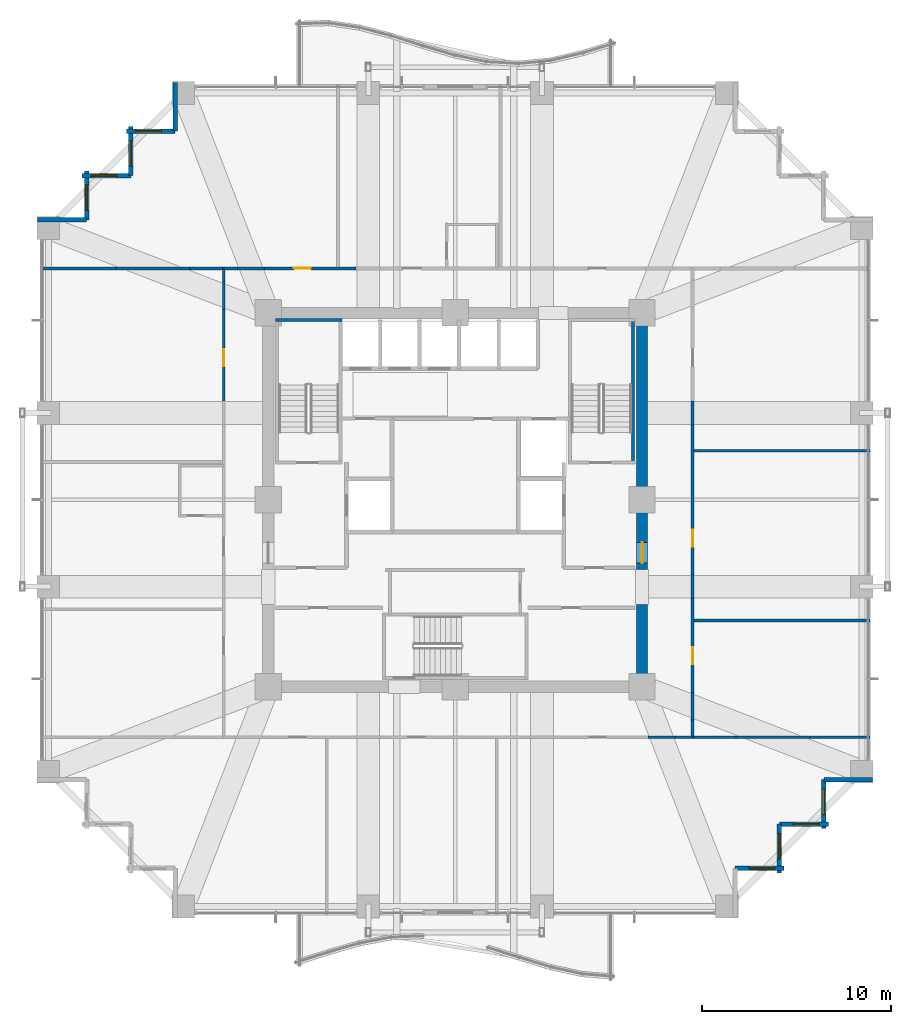
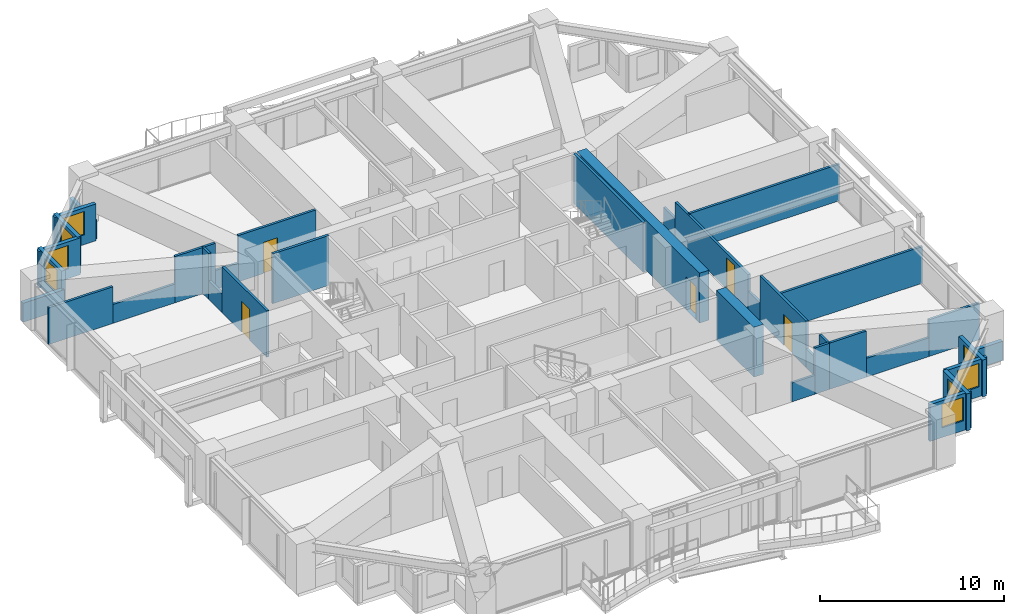
# One storey, part 33 of 37: 37 walls, 8 windows, 5 doors, 13 openings.
"""IFC4 building model written with IfcOpenShell, lengths in metres."""

from ifc_helpers import new_model, si_unit, direction, frame, frame_2d, origin, place, context, subcontext, project, spatial, rectangle, extrude, material, layer, layer_set, type_object, element, fill, save


model = new_model("IFC4")

# Units and contexts
model_context = context("Model", 3, precision=1e-05, world=origin(), true_north=direction((0.0, 1.0)))
body_context = subcontext(model_context, "Body", "Model", "MODEL_VIEW")
ifc_project = project(units=[si_unit("LENGTHUNIT", "METRE"), si_unit("AREAUNIT", "SQUARE_METRE"), si_unit("VOLUMEUNIT", "CUBIC_METRE"), si_unit("PLANEANGLEUNIT", "RADIAN"), si_unit("MASSUNIT", "GRAM", prefix="KILO")], contexts=[model_context])

# Site, building, storey
site_placement = place(None, origin())
site = spatial("IfcSite", under=ifc_project, at=site_placement, CompositionType="ELEMENT")
building_placement = place(site_placement, origin())
building = spatial("IfcBuilding", under=site, at=building_placement, Name="Kolvaren Belvedere", CompositionType="ELEMENT")
storey_placement = place(building_placement, frame((0.0, 0.0, 56.800048828125)))
storey = spatial("IfcBuildingStorey", under=building, at=storey_placement, Name="L16", CompositionType="ELEMENT", Elevation=56.800048828125)

# Wall
ifc_material_1 = material(Name="Concrete C60/75", Category="concrete")
ifc_layer_1 = layer(ifc_material_1, 0.60009765625)
ifc_layer_set_1 = layer_set([ifc_layer_1], Name="Concrete C60/75")
wall_type_1 = type_object("IfcWallType", Name="CW-CORE-600", PredefinedType="SHEAR", material=ifc_layer_set_1)
wall_1_placement = place(storey_placement, frame((9.89990234375, -9.60009765625, 0.0), z_axis=(0.0, 0.0, 1.0), x_axis=(0.0, 1.0, 0.0)))
element("IfcWall", 1, at=wall_1_placement, inside=storey, type_object=wall_type_1, Name="L16 East Core Shear Wall 1", PredefinedType="SHEAR", context=body_context, shape_type="SweptSolid", body=[
    extrude(rectangle(XDim=4.050048828125, YDim=0.60009765625, at=frame_2d((2.02490234375, 0.0))), origin(), (0.0, 0.0, 1.0), 3.300048828125),
])

# Wall, opening, door
wall_2_placement = place(storey_placement, frame((9.89990234375, -3.699951171875, 0.0), z_axis=(0.0, 0.0, 1.0), x_axis=(0.0, 1.0, 0.0)))
wall_2 = element("IfcWall", 2, at=wall_2_placement, inside=storey, type_object=wall_type_1, Name="L16 East Core Shear Wall 2", PredefinedType="SHEAR", context=body_context, shape_type="SweptSolid", body=[
    extrude(rectangle(XDim=13.300048828125, YDim=0.60009765625, at=frame_2d((6.64990234375, 0.0))), origin(), (0.0, 0.0, 1.0), 3.300048828125),
])
opening_1_placement = place(wall_2_placement, frame((0.35009765625, 0.0, 0.0)))
opening_1 = element("IfcOpeningElement", 3, at=opening_1_placement, cuts=wall_2, Name="Opening D-FD90", PredefinedType="OPENING", context=body_context, shape_type="SweptSolid", body=[
    extrude(rectangle(XDim=1.10009765625, YDim=2.199951171875, at=frame_2d((0.550048828125, 1.10009765625))), frame((0.0, 0.31005859375, 0.0), z_axis=(0.0, -1.0, 0.0), x_axis=(1.0, 0.0, 0.0)), (0.0, 0.0, 1.0), 0.6201171875),
])
ifc_material_2 = material(Name="Painted hollow stainless steel", Category="steel")
door_type_1 = type_object("IfcDoorType", Name="DR-FD90-1100", OperationType="NOTDEFINED", PredefinedType="DOOR", material=ifc_material_2)
door_1_placement = place(opening_1_placement, origin())
door_1 = element("IfcDoor", 4, at=door_1_placement, inside=storey, type_object=door_type_1, Name="L16 East Firefighting Lobby Fire Door", OperationType="SINGLE_SWING_RIGHT", OverallHeight=2.199951171875, OverallWidth=1.10009765625, PredefinedType="DOOR", context=body_context, shape_type="SweptSolid", body=[
    extrude(rectangle(XDim=1.10009765625, YDim=2.199951171875, at=frame_2d((0.550048828125, 1.10009765625))), frame((0.0, 0.02490234375, 0.0), z_axis=(0.0, -1.0, 0.0), x_axis=(1.0, 0.0, 0.0)), (0.0, 0.0, 1.0), 0.050048828125),
])
fill(opening_1, door_1)

# Walls
ifc_material_3 = material(Name="Concrete C50/60", Category="concrete")
ifc_layer_2 = layer(ifc_material_3, 0.159912109375)
ifc_layer_set_2 = layer_set([ifc_layer_2], Name="Concrete C50/60")
wall_type_2 = type_object("IfcWallType", Name="CW-STAIR-160", PredefinedType="SHEAR", material=ifc_layer_set_2)
wall_3_placement = place(storey_placement, frame((-9.52001953125, 9.530029296875, 0.0), z_axis=(0.0, 0.0, 1.0), x_axis=(1.0, 0.0, 0.0)))
element("IfcWall", 5, at=wall_3_placement, inside=storey, type_object=wall_type_2, Name="L16 Stair ST-1 North Shear Wall", PredefinedType="SHEAR", context=body_context, shape_type="SweptSolid", body=[
    extrude(rectangle(XDim=3.52001953125, YDim=0.159912109375, at=frame_2d((1.760009765625, 0.0))), origin(), (0.0, 0.0, 1.0), 3.300048828125),
])
wall_4_placement = place(storey_placement, frame((9.429931640625, 1.969970703125, 0.0), z_axis=(0.0, 0.0, 1.0), x_axis=(0.0, 1.0, 0.0)))
element("IfcWall", 6, at=wall_4_placement, inside=storey, type_object=wall_type_2, Name="L16 Stair ST-2 East Shear Wall", PredefinedType="SHEAR", context=body_context, shape_type="SweptSolid", body=[
    extrude(rectangle(XDim=7.56005859375, YDim=0.159912109375, at=frame_2d((3.780029296875, 0.0))), origin(), (0.0, 0.0, 1.0), 3.300048828125),
])
ifc_material_4 = material(Name="Gypsum fire-rated partition assembly", Category="gypsum")
ifc_layer_3 = layer(ifc_material_4, 0.14990234375)
ifc_layer_set_3 = layer_set([ifc_layer_3], Name="Gypsum fire-rated partition assembly")
wall_type_3 = type_object("IfcWallType", Name="WL-CORR-150", PredefinedType="PARTITIONING", material=ifc_layer_set_3)
wall_5_placement = place(storey_placement, frame((10.215576171875, -12.580078125, 0.0), z_axis=(0.0, 0.0, 1.0), x_axis=(1.0, 0.0, 0.0)))
element("IfcWall", 7, at=wall_5_placement, inside=storey, type_object=wall_type_3, Name="L16 South Corridor Wall", PredefinedType="PARTITIONING", context=body_context, shape_type="SweptSolid", body=[
    extrude(rectangle(XDim=1.439208984375, YDim=0.14990234375, at=frame_2d((0.7197265625, 0.0))), origin(), (0.0, 0.0, 1.0), 1.244873046875),
])
wall_6_placement = place(storey_placement, frame((11.65478515625, -12.580078125, 0.0), z_axis=(0.0, 0.0, 1.0), x_axis=(1.0, 0.0, 0.0)))
element("IfcWall", 8, at=wall_6_placement, inside=storey, type_object=wall_type_3, Name="L16 South Corridor Wall", PredefinedType="PARTITIONING", context=body_context, shape_type="SweptSolid", body=[
    extrude(rectangle(XDim=0.92529296875, YDim=0.14990234375, at=frame_2d((0.462646484375, 0.0))), origin(), (0.0, 0.0, 1.0), 3.06005859375),
])
wall_7_placement = place(storey_placement, frame((-12.260009765625, 12.260009765625, 0.0), z_axis=(0.0, 0.0, 1.0), x_axis=(1.0, 0.0, 0.0)))
element("IfcWall", 9, at=wall_7_placement, inside=storey, type_object=wall_type_3, Name="L16 North Corridor Wall", PredefinedType="PARTITIONING", context=body_context, shape_type="SweptSolid", body=[
    extrude(rectangle(XDim=0.728759765625, YDim=0.14990234375, at=frame_2d((0.3642578125, 0.0))), origin(), (0.0, 0.0, 1.0), 3.06005859375),
])
wall_8_placement = place(storey_placement, frame((-11.53125, 12.260009765625, 0.0), z_axis=(0.0, 0.0, 1.0), x_axis=(1.0, 0.0, 0.0)))
element("IfcWall", 10, at=wall_8_placement, inside=storey, type_object=wall_type_3, Name="L16 North Corridor Wall", PredefinedType="PARTITIONING", context=body_context, shape_type="SweptSolid", body=[
    extrude(rectangle(XDim=1.439453125, YDim=0.14990234375, at=frame_2d((0.7197265625, 0.0))), origin(), (0.0, 0.0, 1.0), 1.244873046875),
])

# Wall, opening, door
wall_9_placement = place(storey_placement, frame((-10.091796875, 12.260009765625, 0.0), z_axis=(0.0, 0.0, 1.0), x_axis=(1.0, 0.0, 0.0)))
wall_9 = element("IfcWall", 11, at=wall_9_placement, inside=storey, type_object=wall_type_3, Name="L16 North Corridor Wall", PredefinedType="PARTITIONING", context=body_context, shape_type="SweptSolid", body=[
    extrude(rectangle(XDim=4.849853515625, YDim=0.14990234375, at=frame_2d((2.4248046875, 0.0))), origin(), (0.0, 0.0, 1.0), 3.06005859375),
])
opening_2_placement = place(wall_9_placement, frame((1.552490234375, 0.0, 0.0)))
opening_2 = element("IfcOpeningElement", 12, at=opening_2_placement, cuts=wall_9, Name="Opening D-INT90", PredefinedType="OPENING", context=body_context, shape_type="SweptSolid", body=[
    extrude(rectangle(XDim=0.89990234375, YDim=2.06005859375, at=frame_2d((0.449951171875, 1.030029296875))), frame((0.0, 0.0849609375, 0.0), z_axis=(0.0, -1.0, 0.0), x_axis=(1.0, 0.0, 0.0)), (0.0, 0.0, 1.0), 0.169921875),
])
ifc_material_5 = material(Name="Stained Pacific white oak", Category="timber")
door_type_2 = type_object("IfcDoorType", Name="DR-INT-900", OperationType="NOTDEFINED", PredefinedType="DOOR", material=ifc_material_5)
door_2_placement = place(opening_2_placement, origin())
door_2 = element("IfcDoor", 13, at=door_2_placement, inside=storey, type_object=door_type_2, Name="L16 Lounge 1610 Door", OperationType="SINGLE_SWING_RIGHT", OverallHeight=2.06005859375, OverallWidth=0.89990234375, PredefinedType="DOOR", context=body_context, shape_type="SweptSolid", body=[
    extrude(rectangle(XDim=0.89990234375, YDim=2.06005859375, at=frame_2d((0.449951171875, 1.030029296875))), frame((0.0, 0.02490234375, 0.0), z_axis=(0.0, -1.0, 0.0), x_axis=(1.0, 0.0, 0.0)), (0.0, 0.0, 1.0), 0.050048828125),
])
fill(opening_2, door_2)

wall_10_placement = place(storey_placement, frame((-12.260009765625, 5.241943359375, 0.0), z_axis=(0.0, 0.0, 1.0), x_axis=(0.0, 1.0, 0.0)))
wall_10 = element("IfcWall", 14, at=wall_10_placement, inside=storey, type_object=wall_type_3, Name="L16 West Corridor Wall", PredefinedType="PARTITIONING", context=body_context, shape_type="SweptSolid", body=[
    extrude(rectangle(XDim=4.849853515625, YDim=0.14990234375, at=frame_2d((2.4248046875, 0.0))), origin(), (0.0, 0.0, 1.0), 3.06005859375),
])
opening_3_placement = place(wall_10_placement, frame((1.843017578125, 0.0, 0.0)))
opening_3 = element("IfcOpeningElement", 15, at=opening_3_placement, cuts=wall_10, Name="Opening D-INT90", PredefinedType="OPENING", context=body_context, shape_type="SweptSolid", body=[
    extrude(rectangle(XDim=0.89990234375, YDim=2.06005859375, at=frame_2d((0.449951171875, 1.030029296875))), frame((0.0, 0.0849609375, 0.0), z_axis=(0.0, -1.0, 0.0), x_axis=(1.0, 0.0, 0.0)), (0.0, 0.0, 1.0), 0.169921875),
])
door_3_placement = place(opening_3_placement, origin())
door_3 = element("IfcDoor", 16, at=door_3_placement, inside=storey, type_object=door_type_2, Name="L16 Lounge 1609 Door", OperationType="SINGLE_SWING_LEFT", OverallHeight=2.06005859375, OverallWidth=0.89990234375, PredefinedType="DOOR", context=body_context, shape_type="SweptSolid", body=[
    extrude(rectangle(XDim=0.89990234375, YDim=2.06005859375, at=frame_2d((0.449951171875, 1.030029296875))), frame((0.0, 0.02490234375, 0.0), z_axis=(0.0, -1.0, 0.0), x_axis=(1.0, 0.0, 0.0)), (0.0, 0.0, 1.0), 0.050048828125),
])
fill(opening_3, door_3)

# Walls
wall_11_placement = place(storey_placement, frame((-12.260009765625, 10.091796875, 0.0), z_axis=(0.0, 0.0, 1.0), x_axis=(0.0, 1.0, 0.0)))
element("IfcWall", 17, at=wall_11_placement, inside=storey, type_object=wall_type_3, Name="L16 West Corridor Wall", PredefinedType="PARTITIONING", context=body_context, shape_type="SweptSolid", body=[
    extrude(rectangle(XDim=1.439453125, YDim=0.14990234375, at=frame_2d((0.7197265625, 0.0))), origin(), (0.0, 0.0, 1.0), 1.244873046875),
])
wall_12_placement = place(storey_placement, frame((-12.260009765625, 11.53125, 0.0), z_axis=(0.0, 0.0, 1.0), x_axis=(0.0, 1.0, 0.0)))
element("IfcWall", 18, at=wall_12_placement, inside=storey, type_object=wall_type_3, Name="L16 West Corridor Wall", PredefinedType="PARTITIONING", context=body_context, shape_type="SweptSolid", body=[
    extrude(rectangle(XDim=0.728759765625, YDim=0.14990234375, at=frame_2d((0.3642578125, 0.0))), origin(), (0.0, 0.0, 1.0), 3.06005859375),
])
wall_13_placement = place(storey_placement, frame((12.580078125, -12.580078125, 0.0), z_axis=(0.0, 0.0, 1.0), x_axis=(0.0, 1.0, 0.0)))
element("IfcWall", 19, at=wall_13_placement, inside=storey, type_object=wall_type_3, Name="L16 East Corridor Wall", PredefinedType="PARTITIONING", context=body_context, shape_type="SweptSolid", body=[
    extrude(rectangle(XDim=0.92529296875, YDim=0.14990234375, at=frame_2d((0.462646484375, 0.0))), origin(), (0.0, 0.0, 1.0), 3.06005859375),
])
wall_14_placement = place(storey_placement, frame((12.580078125, -11.65478515625, 0.0), z_axis=(0.0, 0.0, 1.0), x_axis=(0.0, 1.0, 0.0)))
element("IfcWall", 20, at=wall_14_placement, inside=storey, type_object=wall_type_3, Name="L16 East Corridor Wall", PredefinedType="PARTITIONING", context=body_context, shape_type="SweptSolid", body=[
    extrude(rectangle(XDim=1.439208984375, YDim=0.14990234375, at=frame_2d((0.7197265625, 0.0))), origin(), (0.0, 0.0, 1.0), 1.244873046875),
])

# Wall, opening, door
wall_15_placement = place(storey_placement, frame((12.580078125, -10.215576171875, 0.0), z_axis=(0.0, 0.0, 1.0), x_axis=(0.0, 1.0, 0.0)))
wall_15 = element("IfcWall", 21, at=wall_15_placement, inside=storey, type_object=wall_type_3, Name="L16 East Corridor Wall", PredefinedType="PARTITIONING", context=body_context, shape_type="SweptSolid", body=[
    extrude(rectangle(XDim=4.9736328125, YDim=0.14990234375, at=frame_2d((2.48681640625, 0.0))), origin(), (0.0, 0.0, 1.0), 3.06005859375),
])
opening_4_placement = place(wall_15_placement, frame((1.51611328125, 0.0, 0.0)))
opening_4 = element("IfcOpeningElement", 22, at=opening_4_placement, cuts=wall_15, Name="Opening D-INT90", PredefinedType="OPENING", context=body_context, shape_type="SweptSolid", body=[
    extrude(rectangle(XDim=0.89990234375, YDim=2.06005859375, at=frame_2d((0.449951171875, 1.030029296875))), frame((0.0, 0.0849609375, 0.0), z_axis=(0.0, -1.0, 0.0), x_axis=(1.0, 0.0, 0.0)), (0.0, 0.0, 1.0), 0.169921875),
])
door_4_placement = place(opening_4_placement, origin())
door_4 = element("IfcDoor", 23, at=door_4_placement, inside=storey, type_object=door_type_2, Name="L16 Wellness Yoga & Reading Gym 1604 Door", OperationType="SINGLE_SWING_LEFT", OverallHeight=2.06005859375, OverallWidth=0.89990234375, PredefinedType="DOOR", context=body_context, shape_type="SweptSolid", body=[
    extrude(rectangle(XDim=0.89990234375, YDim=2.06005859375, at=frame_2d((0.449951171875, 1.030029296875))), frame((0.0, 0.02490234375, 0.0), z_axis=(0.0, -1.0, 0.0), x_axis=(1.0, 0.0, 0.0)), (0.0, 0.0, 1.0), 0.050048828125),
])
fill(opening_4, door_4)

# Wall
wall_16_placement = place(storey_placement, frame((12.580078125, -5.241943359375, 0.0), z_axis=(0.0, 0.0, 1.0), x_axis=(0.0, 1.0, 0.0)))
element("IfcWall", 24, at=wall_16_placement, inside=storey, type_object=wall_type_3, Name="L16 East Corridor Wall", PredefinedType="PARTITIONING", context=body_context, shape_type="SweptSolid", body=[
    extrude(rectangle(XDim=1.283935546875, YDim=0.14990234375, at=frame_2d((0.64208984375, 0.0))), origin(), (0.0, 0.0, 1.0), 1.244873046875),
])

# Wall, opening, door
wall_17_placement = place(storey_placement, frame((12.580078125, -3.9580078125, 0.0), z_axis=(0.0, 0.0, 1.0), x_axis=(0.0, 1.0, 0.0)))
wall_17 = element("IfcWall", 25, at=wall_17_placement, inside=storey, type_object=wall_type_3, Name="L16 East Corridor Wall", PredefinedType="PARTITIONING", context=body_context, shape_type="SweptSolid", body=[
    extrude(rectangle(XDim=7.916015625, YDim=0.14990234375, at=frame_2d((3.9580078125, 0.0))), origin(), (0.0, 0.0, 1.0), 2.348876953125),
])
opening_5_placement = place(wall_17_placement, frame((1.47802734375, 0.0, 0.0)))
opening_5 = element("IfcOpeningElement", 26, at=opening_5_placement, cuts=wall_17, Name="Opening D-INT90", PredefinedType="OPENING", context=body_context, shape_type="SweptSolid", body=[
    extrude(rectangle(XDim=0.89990234375, YDim=2.06005859375, at=frame_2d((0.449951171875, 1.030029296875))), frame((0.0, 0.0849609375, 0.0), z_axis=(0.0, -1.0, 0.0), x_axis=(1.0, 0.0, 0.0)), (0.0, 0.0, 1.0), 0.169921875),
])
door_5_placement = place(opening_5_placement, origin())
door_5 = element("IfcDoor", 27, at=door_5_placement, inside=storey, type_object=door_type_2, Name="L16 Private Hospitality Meeting Room 1605 Door", OperationType="SINGLE_SWING_RIGHT", OverallHeight=2.06005859375, OverallWidth=0.89990234375, PredefinedType="DOOR", context=body_context, shape_type="SweptSolid", body=[
    extrude(rectangle(XDim=0.89990234375, YDim=2.06005859375, at=frame_2d((0.449951171875, 1.030029296875))), frame((0.0, 0.02490234375, 0.0), z_axis=(0.0, -1.0, 0.0), x_axis=(1.0, 0.0, 0.0)), (0.0, 0.0, 1.0), 0.050048828125),
])
fill(opening_5, door_5)

# Wall
wall_18_placement = place(storey_placement, frame((12.580078125, 3.9580078125, 0.0), z_axis=(0.0, 0.0, 1.0), x_axis=(0.0, 1.0, 0.0)))
element("IfcWall", 28, at=wall_18_placement, inside=storey, type_object=wall_type_3, Name="L16 East Corridor Wall", PredefinedType="PARTITIONING", context=body_context, shape_type="SweptSolid", body=[
    extrude(rectangle(XDim=1.283935546875, YDim=0.14990234375, at=frame_2d((0.64208984375, 0.0))), origin(), (0.0, 0.0, 1.0), 1.244873046875),
])

# Wall, opening, window
ifc_material_6 = material(Name="Insulated pale-metal facade wall assembly", Category="aluminium")
ifc_layer_4 = layer(ifc_material_6, 0.239990234375)
ifc_layer_set_4 = layer_set([ifc_layer_4], Name="Insulated pale-metal facade wall assembly")
wall_type_4 = type_object("IfcWallType", Name="WL-EXT-240", PredefinedType="STANDARD", material=ifc_layer_set_4)
wall_19_placement = place(storey_placement, frame((17.419921875, -19.530029296875, 0.0), z_axis=(0.0, 0.0, 1.0), x_axis=(-1.0, 0.0, 0.0)))
wall_19 = element("IfcWall", 29, at=wall_19_placement, inside=storey, type_object=wall_type_4, Name="L16 Serrated Corner Facade Wall 3", PredefinedType="STANDARD", context=body_context, shape_type="SweptSolid", body=[
    extrude(rectangle(XDim=2.58984375, YDim=0.239990234375, at=frame_2d((1.294921875, 0.0))), origin(), (0.0, 0.0, 1.0), 2.43896484375),
])
opening_6_placement = place(wall_19_placement, frame((0.5, 0.0, 0.64990234375)))
opening_6 = element("IfcOpeningElement", 30, at=opening_6_placement, cuts=wall_19, Name="Opening W-1350", PredefinedType="OPENING", context=body_context, shape_type="SweptSolid", body=[
    extrude(rectangle(XDim=1.35009765625, YDim=1.550048828125, at=frame_2d((0.675048828125, 0.77490234375))), frame((0.0, 0.1298828125, 0.0), z_axis=(0.0, -1.0, 0.0), x_axis=(1.0, 0.0, 0.0)), (0.0, 0.0, 1.0), 0.260009765625),
])
ifc_material_7 = material(Name="Low-iron triple insulated glass", Category="glass")
window_type = type_object("IfcWindowType", Name="WN-CORN-1350", PartitioningType="SINGLE_PANEL", PredefinedType="WINDOW", material=ifc_material_7)
window_1_placement = place(opening_6_placement, origin())
window_1 = element("IfcWindow", 31, at=window_1_placement, inside=storey, type_object=window_type, Name="L16 Serrated Corner Vision Window 3", OverallHeight=1.550048828125, OverallWidth=1.35009765625, PartitioningType="SINGLE_PANEL", PredefinedType="WINDOW", context=body_context, shape_type="SweptSolid", body=[
    extrude(rectangle(XDim=1.35009765625, YDim=1.550048828125, at=frame_2d((0.675048828125, 0.77490234375))), frame((0.0, 0.030029296875, 0.0), z_axis=(0.0, -1.0, 0.0), x_axis=(1.0, 0.0, 0.0)), (0.0, 0.0, 1.0), 0.06005859375),
])
fill(opening_6, window_1)

wall_20_placement = place(storey_placement, frame((17.179931640625, -17.179931640625, 0.0), z_axis=(0.0, 0.0, 1.0), x_axis=(0.0, -1.0, 0.0)))
wall_20 = element("IfcWall", 32, at=wall_20_placement, inside=storey, type_object=wall_type_4, Name="L16 Serrated Corner Facade Wall 4", PredefinedType="STANDARD", context=body_context, shape_type="SweptSolid", body=[
    extrude(rectangle(XDim=2.590087890625, YDim=0.239990234375, at=frame_2d((1.294921875, 0.0))), origin(), (0.0, 0.0, 1.0), 2.43896484375),
])
opening_7_placement = place(wall_20_placement, frame((0.5, 0.0, 0.64990234375)))
opening_7 = element("IfcOpeningElement", 33, at=opening_7_placement, cuts=wall_20, Name="Opening W-1350", PredefinedType="OPENING", context=body_context, shape_type="SweptSolid", body=[
    extrude(rectangle(XDim=1.35009765625, YDim=1.550048828125, at=frame_2d((0.675048828125, 0.77490234375))), frame((0.0, 0.1298828125, 0.0), z_axis=(0.0, -1.0, 0.0), x_axis=(1.0, 0.0, 0.0)), (0.0, 0.0, 1.0), 0.260009765625),
])
window_2_placement = place(opening_7_placement, origin())
window_2 = element("IfcWindow", 34, at=window_2_placement, inside=storey, type_object=window_type, Name="L16 Serrated Corner Vision Window 4", OverallHeight=1.550048828125, OverallWidth=1.35009765625, PartitioningType="SINGLE_PANEL", PredefinedType="WINDOW", context=body_context, shape_type="SweptSolid", body=[
    extrude(rectangle(XDim=1.35009765625, YDim=1.550048828125, at=frame_2d((0.675048828125, 0.77490234375))), frame((0.0, 0.030029296875, 0.0), z_axis=(0.0, -1.0, 0.0), x_axis=(1.0, 0.0, 0.0)), (0.0, 0.0, 1.0), 0.06005859375),
])
fill(opening_7, window_2)

wall_21_placement = place(storey_placement, frame((19.77001953125, -17.179931640625, 0.0), z_axis=(0.0, 0.0, 1.0), x_axis=(-1.0, 0.0, 0.0)))
wall_21 = element("IfcWall", 35, at=wall_21_placement, inside=storey, type_object=wall_type_4, Name="L16 Serrated Corner Facade Wall 5", PredefinedType="STANDARD", context=body_context, shape_type="SweptSolid", body=[
    extrude(rectangle(XDim=2.590087890625, YDim=0.239990234375, at=frame_2d((1.294921875, 0.0))), origin(), (0.0, 0.0, 1.0), 2.43896484375),
])
opening_8_placement = place(wall_21_placement, frame((0.5, 0.0, 0.64990234375)))
opening_8 = element("IfcOpeningElement", 36, at=opening_8_placement, cuts=wall_21, Name="Opening W-1350", PredefinedType="OPENING", context=body_context, shape_type="SweptSolid", body=[
    extrude(rectangle(XDim=1.35009765625, YDim=1.550048828125, at=frame_2d((0.675048828125, 0.77490234375))), frame((0.0, 0.1298828125, 0.0), z_axis=(0.0, -1.0, 0.0), x_axis=(1.0, 0.0, 0.0)), (0.0, 0.0, 1.0), 0.260009765625),
])
window_3_placement = place(opening_8_placement, origin())
window_3 = element("IfcWindow", 37, at=window_3_placement, inside=storey, type_object=window_type, Name="L16 Serrated Corner Vision Window 5", OverallHeight=1.550048828125, OverallWidth=1.35009765625, PartitioningType="SINGLE_PANEL", PredefinedType="WINDOW", context=body_context, shape_type="SweptSolid", body=[
    extrude(rectangle(XDim=1.35009765625, YDim=1.550048828125, at=frame_2d((0.675048828125, 0.77490234375))), frame((0.0, 0.030029296875, 0.0), z_axis=(0.0, -1.0, 0.0), x_axis=(1.0, 0.0, 0.0)), (0.0, 0.0, 1.0), 0.06005859375),
])
fill(opening_8, window_3)

wall_22_placement = place(storey_placement, frame((19.530029296875, -14.830078125, 0.0), z_axis=(0.0, 0.0, 1.0), x_axis=(0.0, -1.0, 0.0)))
wall_22 = element("IfcWall", 38, at=wall_22_placement, inside=storey, type_object=wall_type_4, Name="L16 Serrated Corner Facade Wall 6", PredefinedType="STANDARD", context=body_context, shape_type="SweptSolid", body=[
    extrude(rectangle(XDim=2.58984375, YDim=0.239990234375, at=frame_2d((1.294921875, 0.0))), origin(), (0.0, 0.0, 1.0), 2.43896484375),
])
opening_9_placement = place(wall_22_placement, frame((0.5, 0.0, 0.64990234375)))
opening_9 = element("IfcOpeningElement", 39, at=opening_9_placement, cuts=wall_22, Name="Opening W-1350", PredefinedType="OPENING", context=body_context, shape_type="SweptSolid", body=[
    extrude(rectangle(XDim=1.35009765625, YDim=1.550048828125, at=frame_2d((0.675048828125, 0.77490234375))), frame((0.0, 0.1298828125, 0.0), z_axis=(0.0, -1.0, 0.0), x_axis=(1.0, 0.0, 0.0)), (0.0, 0.0, 1.0), 0.260009765625),
])
window_4_placement = place(opening_9_placement, origin())
window_4 = element("IfcWindow", 40, at=window_4_placement, inside=storey, type_object=window_type, Name="L16 Serrated Corner Vision Window 6", OverallHeight=1.550048828125, OverallWidth=1.35009765625, PartitioningType="SINGLE_PANEL", PredefinedType="WINDOW", context=body_context, shape_type="SweptSolid", body=[
    extrude(rectangle(XDim=1.35009765625, YDim=1.550048828125, at=frame_2d((0.675048828125, 0.77490234375))), frame((0.0, 0.030029296875, 0.0), z_axis=(0.0, -1.0, 0.0), x_axis=(1.0, 0.0, 0.0)), (0.0, 0.0, 1.0), 0.06005859375),
])
fill(opening_9, window_4)

# Walls
for number, where, z_axis, x_axis, name in (
    (41, (22.1201171875, -14.830078125, 0.0), (0.0, 0.0, 1.0), (-1.0, 0.0, 0.0), "L16 Serrated Corner Facade Wall 7"),
    (42, (-14.830078125, 19.530029296875, 0.0), (0.0, 0.0, 1.0), (0.0, 1.0, 0.0), "L16 Serrated Corner Facade Wall 16"),
):
    element("IfcWall", number, at=place(storey_placement, frame(where, z_axis=z_axis, x_axis=x_axis)), inside=storey, type_object=wall_type_4, Name=name, PredefinedType="STANDARD", context=body_context, shape_type="SweptSolid", body=[
        extrude(rectangle(XDim=2.590087890625, YDim=0.239990234375, at=frame_2d((1.294921875, 0.0))), origin(), (0.0, 0.0, 1.0), 1.2548828125),
    ])

# Wall, opening, window
wall_23_placement = place(storey_placement, frame((-17.419921875, 19.530029296875, 0.0), z_axis=(0.0, 0.0, 1.0), x_axis=(1.0, 0.0, 0.0)))
wall_23 = element("IfcWall", 43, at=wall_23_placement, inside=storey, type_object=wall_type_4, Name="L16 Serrated Corner Facade Wall 17", PredefinedType="STANDARD", context=body_context, shape_type="SweptSolid", body=[
    extrude(rectangle(XDim=2.58984375, YDim=0.239990234375, at=frame_2d((1.294921875, 0.0))), origin(), (0.0, 0.0, 1.0), 2.43896484375),
])
opening_10_placement = place(wall_23_placement, frame((0.5, 0.0, 0.64990234375)))
opening_10 = element("IfcOpeningElement", 44, at=opening_10_placement, cuts=wall_23, Name="Opening W-1350", PredefinedType="OPENING", context=body_context, shape_type="SweptSolid", body=[
    extrude(rectangle(XDim=1.35009765625, YDim=1.550048828125, at=frame_2d((0.675048828125, 0.77490234375))), frame((0.0, 0.1298828125, 0.0), z_axis=(0.0, -1.0, 0.0), x_axis=(1.0, 0.0, 0.0)), (0.0, 0.0, 1.0), 0.260009765625),
])
window_5_placement = place(opening_10_placement, origin())
window_5 = element("IfcWindow", 45, at=window_5_placement, inside=storey, type_object=window_type, Name="L16 Serrated Corner Vision Window 17", OverallHeight=1.550048828125, OverallWidth=1.35009765625, PartitioningType="SINGLE_PANEL", PredefinedType="WINDOW", context=body_context, shape_type="SweptSolid", body=[
    extrude(rectangle(XDim=1.35009765625, YDim=1.550048828125, at=frame_2d((0.675048828125, 0.77490234375))), frame((0.0, 0.030029296875, 0.0), z_axis=(0.0, -1.0, 0.0), x_axis=(1.0, 0.0, 0.0)), (0.0, 0.0, 1.0), 0.06005859375),
])
fill(opening_10, window_5)

wall_24_placement = place(storey_placement, frame((-17.179931640625, 17.179931640625, 0.0), z_axis=(0.0, 0.0, 1.0), x_axis=(0.0, 1.0, 0.0)))
wall_24 = element("IfcWall", 46, at=wall_24_placement, inside=storey, type_object=wall_type_4, Name="L16 Serrated Corner Facade Wall 18", PredefinedType="STANDARD", context=body_context, shape_type="SweptSolid", body=[
    extrude(rectangle(XDim=2.590087890625, YDim=0.239990234375, at=frame_2d((1.294921875, 0.0))), origin(), (0.0, 0.0, 1.0), 2.43896484375),
])
opening_11_placement = place(wall_24_placement, frame((0.5, 0.0, 0.64990234375)))
opening_11 = element("IfcOpeningElement", 47, at=opening_11_placement, cuts=wall_24, Name="Opening W-1350", PredefinedType="OPENING", context=body_context, shape_type="SweptSolid", body=[
    extrude(rectangle(XDim=1.35009765625, YDim=1.550048828125, at=frame_2d((0.675048828125, 0.77490234375))), frame((0.0, 0.1298828125, 0.0), z_axis=(0.0, -1.0, 0.0), x_axis=(1.0, 0.0, 0.0)), (0.0, 0.0, 1.0), 0.260009765625),
])
window_6_placement = place(opening_11_placement, origin())
window_6 = element("IfcWindow", 48, at=window_6_placement, inside=storey, type_object=window_type, Name="L16 Serrated Corner Vision Window 18", OverallHeight=1.550048828125, OverallWidth=1.35009765625, PartitioningType="SINGLE_PANEL", PredefinedType="WINDOW", context=body_context, shape_type="SweptSolid", body=[
    extrude(rectangle(XDim=1.35009765625, YDim=1.550048828125, at=frame_2d((0.675048828125, 0.77490234375))), frame((0.0, 0.030029296875, 0.0), z_axis=(0.0, -1.0, 0.0), x_axis=(1.0, 0.0, 0.0)), (0.0, 0.0, 1.0), 0.06005859375),
])
fill(opening_11, window_6)

wall_25_placement = place(storey_placement, frame((-19.77001953125, 17.179931640625, 0.0), z_axis=(0.0, 0.0, 1.0), x_axis=(1.0, 0.0, 0.0)))
wall_25 = element("IfcWall", 49, at=wall_25_placement, inside=storey, type_object=wall_type_4, Name="L16 Serrated Corner Facade Wall 19", PredefinedType="STANDARD", context=body_context, shape_type="SweptSolid", body=[
    extrude(rectangle(XDim=2.590087890625, YDim=0.239990234375, at=frame_2d((1.294921875, 0.0))), origin(), (0.0, 0.0, 1.0), 2.43896484375),
])
opening_12_placement = place(wall_25_placement, frame((0.5, 0.0, 0.64990234375)))
opening_12 = element("IfcOpeningElement", 50, at=opening_12_placement, cuts=wall_25, Name="Opening W-1350", PredefinedType="OPENING", context=body_context, shape_type="SweptSolid", body=[
    extrude(rectangle(XDim=1.35009765625, YDim=1.550048828125, at=frame_2d((0.675048828125, 0.77490234375))), frame((0.0, 0.1298828125, 0.0), z_axis=(0.0, -1.0, 0.0), x_axis=(1.0, 0.0, 0.0)), (0.0, 0.0, 1.0), 0.260009765625),
])
window_7_placement = place(opening_12_placement, origin())
window_7 = element("IfcWindow", 51, at=window_7_placement, inside=storey, type_object=window_type, Name="L16 Serrated Corner Vision Window 19", OverallHeight=1.550048828125, OverallWidth=1.35009765625, PartitioningType="SINGLE_PANEL", PredefinedType="WINDOW", context=body_context, shape_type="SweptSolid", body=[
    extrude(rectangle(XDim=1.35009765625, YDim=1.550048828125, at=frame_2d((0.675048828125, 0.77490234375))), frame((0.0, 0.030029296875, 0.0), z_axis=(0.0, -1.0, 0.0), x_axis=(1.0, 0.0, 0.0)), (0.0, 0.0, 1.0), 0.06005859375),
])
fill(opening_12, window_7)

wall_26_placement = place(storey_placement, frame((-19.530029296875, 14.830078125, 0.0), z_axis=(0.0, 0.0, 1.0), x_axis=(0.0, 1.0, 0.0)))
wall_26 = element("IfcWall", 52, at=wall_26_placement, inside=storey, type_object=wall_type_4, Name="L16 Serrated Corner Facade Wall 20", PredefinedType="STANDARD", context=body_context, shape_type="SweptSolid", body=[
    extrude(rectangle(XDim=2.58984375, YDim=0.239990234375, at=frame_2d((1.294921875, 0.0))), origin(), (0.0, 0.0, 1.0), 2.43896484375),
])
opening_13_placement = place(wall_26_placement, frame((0.5, 0.0, 0.64990234375)))
opening_13 = element("IfcOpeningElement", 53, at=opening_13_placement, cuts=wall_26, Name="Opening W-1350", PredefinedType="OPENING", context=body_context, shape_type="SweptSolid", body=[
    extrude(rectangle(XDim=1.35009765625, YDim=1.550048828125, at=frame_2d((0.675048828125, 0.77490234375))), frame((0.0, 0.1298828125, 0.0), z_axis=(0.0, -1.0, 0.0), x_axis=(1.0, 0.0, 0.0)), (0.0, 0.0, 1.0), 0.260009765625),
])
window_8_placement = place(opening_13_placement, origin())
window_8 = element("IfcWindow", 54, at=window_8_placement, inside=storey, type_object=window_type, Name="L16 Serrated Corner Vision Window 20", OverallHeight=1.550048828125, OverallWidth=1.35009765625, PartitioningType="SINGLE_PANEL", PredefinedType="WINDOW", context=body_context, shape_type="SweptSolid", body=[
    extrude(rectangle(XDim=1.35009765625, YDim=1.550048828125, at=frame_2d((0.675048828125, 0.77490234375))), frame((0.0, 0.030029296875, 0.0), z_axis=(0.0, -1.0, 0.0), x_axis=(1.0, 0.0, 0.0)), (0.0, 0.0, 1.0), 0.06005859375),
])
fill(opening_13, window_8)

# Walls
wall_27_placement = place(storey_placement, frame((-22.1201171875, 14.830078125, 0.0), z_axis=(0.0, 0.0, 1.0), x_axis=(1.0, 0.0, 0.0)))
element("IfcWall", 55, at=wall_27_placement, inside=storey, type_object=wall_type_4, Name="L16 Serrated Corner Facade Wall 21", PredefinedType="STANDARD", context=body_context, shape_type="SweptSolid", body=[
    extrude(rectangle(XDim=2.590087890625, YDim=0.239990234375, at=frame_2d((1.294921875, 0.0))), origin(), (0.0, 0.0, 1.0), 1.2548828125),
])
ifc_material_8 = material(Name="Gypsum acoustic partition assembly", Category="gypsum")
ifc_layer_5 = layer(ifc_material_8, 0.14990234375)
ifc_layer_set_5 = layer_set([ifc_layer_5], Name="Gypsum acoustic partition assembly")
wall_type_5 = type_object("IfcWallType", Name="WL-PART-150", PredefinedType="PARTITIONING", material=ifc_layer_set_5)
wall_28_placement = place(storey_placement, frame((12.580078125, -12.580078125, 0.0), z_axis=(0.0, 0.0, 1.0), x_axis=(1.0, 0.0, 0.0)))
element("IfcWall", 56, at=wall_28_placement, inside=storey, type_object=wall_type_5, Name="L16 Wing Divider PW-L16-QSE", PredefinedType="PARTITIONING", context=body_context, shape_type="SweptSolid", body=[
    extrude(rectangle(XDim=2.304443359375, YDim=0.14990234375, at=frame_2d((1.15234375, 0.0))), origin(), (0.0, 0.0, 1.0), 3.06005859375),
])
wall_29_placement = place(storey_placement, frame((14.884521484375, -12.580078125, 0.0), z_axis=(0.0, 0.0, 1.0), x_axis=(1.0, 0.0, 0.0)))
element("IfcWall", 57, at=wall_29_placement, inside=storey, type_object=wall_type_5, Name="L16 Wing Divider PW-L16-QSE", PredefinedType="PARTITIONING", context=body_context, shape_type="SweptSolid", body=[
    extrude(rectangle(XDim=3.907470703125, YDim=0.14990234375, at=frame_2d((1.95361328125, 0.0))), origin(), (0.0, 0.0, 1.0), 1.244873046875),
])
wall_30_placement = place(storey_placement, frame((18.7919921875, -12.580078125, 0.0), z_axis=(0.0, 0.0, 1.0), x_axis=(1.0, 0.0, 0.0)))
element("IfcWall", 58, at=wall_30_placement, inside=storey, type_object=wall_type_5, Name="L16 Wing Divider PW-L16-QSE", PredefinedType="PARTITIONING", context=body_context, shape_type="SweptSolid", body=[
    extrude(rectangle(XDim=3.18798828125, YDim=0.14990234375, at=frame_2d((1.593994140625, 0.0))), origin(), (0.0, 0.0, 1.0), 2.428955078125),
])
wall_31_placement = place(storey_placement, frame((-21.97998046875, 12.260009765625, 0.0), z_axis=(0.0, 0.0, 1.0), x_axis=(1.0, 0.0, 0.0)))
element("IfcWall", 59, at=wall_31_placement, inside=storey, type_object=wall_type_5, Name="L16 Wing Divider PW-L16-QNW", PredefinedType="PARTITIONING", context=body_context, shape_type="SweptSolid", body=[
    extrude(rectangle(XDim=4.0166015625, YDim=0.14990234375, at=frame_2d((2.00830078125, 0.0))), origin(), (0.0, 0.0, 1.0), 2.428955078125),
])
wall_32_placement = place(storey_placement, frame((-17.96337890625, 12.260009765625, 0.0), z_axis=(0.0, 0.0, 1.0), x_axis=(1.0, 0.0, 0.0)))
element("IfcWall", 60, at=wall_32_placement, inside=storey, type_object=wall_type_5, Name="L16 Wing Divider PW-L16-QNW", PredefinedType="PARTITIONING", context=body_context, shape_type="SweptSolid", body=[
    extrude(rectangle(XDim=3.9072265625, YDim=0.14990234375, at=frame_2d((1.95361328125, 0.0))), origin(), (0.0, 0.0, 1.0), 1.244873046875),
])
wall_33_placement = place(storey_placement, frame((-14.05615234375, 12.260009765625, 0.0), z_axis=(0.0, 0.0, 1.0), x_axis=(1.0, 0.0, 0.0)))
element("IfcWall", 61, at=wall_33_placement, inside=storey, type_object=wall_type_5, Name="L16 Wing Divider PW-L16-QNW", PredefinedType="PARTITIONING", context=body_context, shape_type="SweptSolid", body=[
    extrude(rectangle(XDim=1.796142578125, YDim=0.14990234375, at=frame_2d((0.89794921875, 0.0))), origin(), (0.0, 0.0, 1.0), 3.06005859375),
])
for number, where, z_axis, x_axis, name in (
    (62, (12.580078125, -6.39990234375, 0.0), (0.0, 0.0, 1.0), (1.0, 0.0, 0.0), "L16 East Suite Demising Wall 1"),
    (63, (12.580078125, 2.60009765625, 0.0), (0.0, 0.0, 1.0), (1.0, 0.0, 0.0), "L16 East Suite Demising Wall 2"),
):
    element("IfcWall", number, at=place(storey_placement, frame(where, z_axis=z_axis, x_axis=x_axis)), inside=storey, type_object=wall_type_5, Name=name, PredefinedType="PARTITIONING", context=body_context, shape_type="SweptSolid", body=[
        extrude(rectangle(XDim=9.39990234375, YDim=0.14990234375, at=frame_2d((4.699951171875, 0.0))), origin(), (0.0, 0.0, 1.0), 2.428955078125),
    ])

save(model, "model.ifc")
